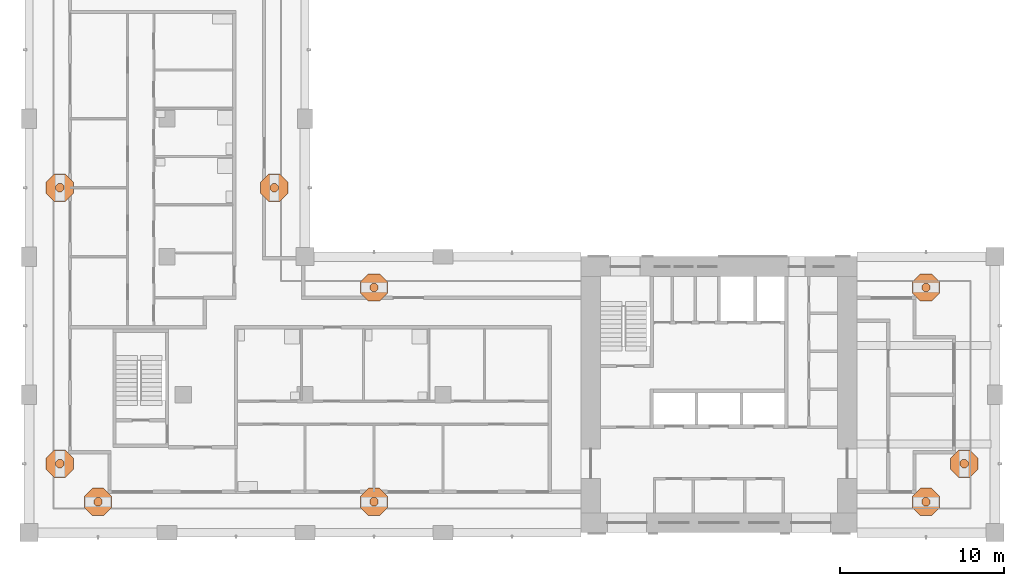
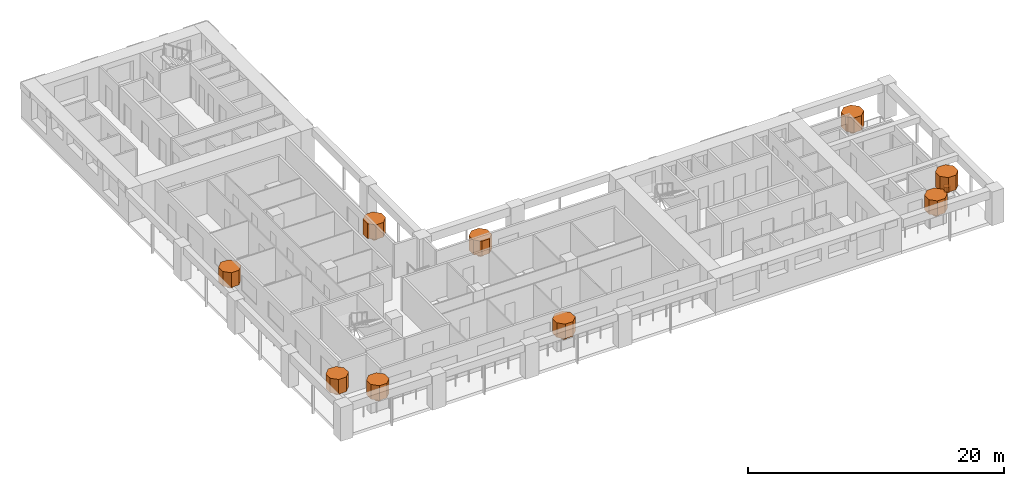
# One storey, part 13 of 13: 18 geographic elements.
"""IFC4 building model written with IfcOpenShell, lengths in metres."""

from ifc_helpers import new_model, si_unit, direction, frame, origin, place, context, subcontext, project, spatial, polyline, outline, extrude, material, element, save


model = new_model("IFC4")

# Units and contexts
model_context = context("Model", 3, precision=1e-05, world=origin(), true_north=direction((0.0, 1.0)))
body_context = subcontext(model_context, "Body", "Model", "MODEL_VIEW")
ifc_project = project(units=[si_unit("LENGTHUNIT", "METRE"), si_unit("AREAUNIT", "SQUARE_METRE"), si_unit("VOLUMEUNIT", "CUBIC_METRE"), si_unit("PLANEANGLEUNIT", "RADIAN"), si_unit("MASSUNIT", "GRAM", prefix="KILO")], contexts=[model_context])

# Site, building, storey
site_placement = place(None, origin())
site = spatial("IfcSite", under=ifc_project, at=site_placement, CompositionType="ELEMENT")
building_placement = place(site_placement, origin())
building = spatial("IfcBuilding", under=site, at=building_placement, Name="Vermilion Gate Residences", CompositionType="ELEMENT")
storey_placement = place(building_placement, frame((0.0, 0.0, 161.699951171875)))
storey = spatial("IfcBuildingStorey", under=building, at=storey_placement, Name="L41", CompositionType="ELEMENT", Elevation=161.699951171875)

# Geographic elements
ifc_material = material(Name="Foliage")
geographic_element_1_placement = place(storey_placement, frame((0.0, 0.0, 0.900146484375)))
element("IfcGeographicElement", 1, at=geographic_element_1_placement, inside=storey, material=ifc_material, Name="Tree (maple)", ObjectType="TREE", PredefinedType="USERDEFINED", context=body_context, shape_type="SweptSolid", body=[
    extrude(outline(polyline([(12.85400390625, 10.380126953125), (12.705078125, 10.529052734375), (12.494873046875, 10.529052734375), (12.345947265625, 10.380126953125), (12.345947265625, 10.169921875), (12.494873046875, 10.02099609375), (12.705078125, 10.02099609375), (12.85400390625, 10.169921875), (12.85400390625, 10.380126953125)])), origin(), (0.0, 0.0, 1.0), 0.52001953125),
])
geographic_element_2_placement = place(storey_placement, frame((0.0, 0.0, 1.420166015625)))
element("IfcGeographicElement", 2, at=geographic_element_2_placement, inside=storey, material=ifc_material, Name="Tree crown (maple)", ObjectType="TREE", PredefinedType="USERDEFINED", context=body_context, shape_type="SweptSolid", body=[
    extrude(outline(polyline([(13.431396484375, 10.619384765625), (12.9443359375, 11.1064453125), (12.255615234375, 11.1064453125), (11.7685546875, 10.619384765625), (11.7685546875, 9.9306640625), (12.255615234375, 9.443603515625), (12.9443359375, 9.443603515625), (13.431396484375, 9.9306640625), (13.431396484375, 10.619384765625)])), origin(), (0.0, 0.0, 1.0), 1.39990234375),
])
geographic_element_3_placement = place(storey_placement, frame((0.0, 0.0, 0.900146484375)))
element("IfcGeographicElement", 3, at=geographic_element_3_placement, inside=storey, material=ifc_material, Name="Tree (black pine)", ObjectType="TREE", PredefinedType="USERDEFINED", context=body_context, shape_type="SweptSolid", body=[
    extrude(outline(polyline([(29.654052734375, 10.380126953125), (29.505126953125, 10.529052734375), (29.294921875, 10.529052734375), (29.14599609375, 10.380126953125), (29.14599609375, 10.169921875), (29.294921875, 10.02099609375), (29.505126953125, 10.02099609375), (29.654052734375, 10.169921875), (29.654052734375, 10.380126953125)])), origin(), (0.0, 0.0, 1.0), 0.52001953125),
])
geographic_element_4_placement = place(storey_placement, frame((0.0, 0.0, 1.420166015625)))
element("IfcGeographicElement", 4, at=geographic_element_4_placement, inside=storey, material=ifc_material, Name="Tree crown (black pine)", ObjectType="TREE", PredefinedType="USERDEFINED", context=body_context, shape_type="SweptSolid", body=[
    extrude(outline(polyline([(30.2314453125, 10.619384765625), (29.744384765625, 11.1064453125), (29.0556640625, 11.1064453125), (28.568603515625, 10.619384765625), (28.568603515625, 9.9306640625), (29.0556640625, 9.443603515625), (29.744384765625, 9.443603515625), (30.2314453125, 9.9306640625), (30.2314453125, 10.619384765625)])), origin(), (0.0, 0.0, 1.0), 1.39990234375),
])
geographic_element_5_placement = place(storey_placement, frame((0.0, 0.0, 0.900146484375)))
element("IfcGeographicElement", 5, at=geographic_element_5_placement, inside=storey, material=ifc_material, Name="Tree (black pine)", ObjectType="TREE", PredefinedType="USERDEFINED", context=body_context, shape_type="SweptSolid", body=[
    extrude(outline(polyline([(63.254150390625, 10.380126953125), (63.105224609375, 10.529052734375), (62.894775390625, 10.529052734375), (62.745849609375, 10.380126953125), (62.745849609375, 10.169921875), (62.894775390625, 10.02099609375), (63.105224609375, 10.02099609375), (63.254150390625, 10.169921875), (63.254150390625, 10.380126953125)])), origin(), (0.0, 0.0, 1.0), 0.52001953125),
])
geographic_element_6_placement = place(storey_placement, frame((0.0, 0.0, 1.420166015625)))
element("IfcGeographicElement", 6, at=geographic_element_6_placement, inside=storey, material=ifc_material, Name="Tree crown (black pine)", ObjectType="TREE", PredefinedType="USERDEFINED", context=body_context, shape_type="SweptSolid", body=[
    extrude(outline(polyline([(63.83154296875, 10.619384765625), (63.344482421875, 11.1064453125), (62.655517578125, 11.1064453125), (62.16845703125, 10.619384765625), (62.16845703125, 9.9306640625), (62.655517578125, 9.443603515625), (63.344482421875, 9.443603515625), (63.83154296875, 9.9306640625), (63.83154296875, 10.619384765625)])), origin(), (0.0, 0.0, 1.0), 1.39990234375),
])
geographic_element_7_placement = place(storey_placement, frame((0.0, 0.0, 0.900146484375)))
element("IfcGeographicElement", 7, at=geographic_element_7_placement, inside=storey, material=ifc_material, Name="Tree (maple)", ObjectType="TREE", PredefinedType="USERDEFINED", context=body_context, shape_type="SweptSolid", body=[
    extrude(outline(polyline([(65.5791015625, 12.705078125), (65.43017578125, 12.85400390625), (65.2197265625, 12.85400390625), (65.07080078125, 12.705078125), (65.07080078125, 12.494873046875), (65.2197265625, 12.345947265625), (65.43017578125, 12.345947265625), (65.5791015625, 12.494873046875), (65.5791015625, 12.705078125)])), origin(), (0.0, 0.0, 1.0), 0.52001953125),
])
geographic_element_8_placement = place(storey_placement, frame((0.0, 0.0, 1.420166015625)))
element("IfcGeographicElement", 8, at=geographic_element_8_placement, inside=storey, material=ifc_material, Name="Tree crown (maple)", ObjectType="TREE", PredefinedType="USERDEFINED", context=body_context, shape_type="SweptSolid", body=[
    extrude(outline(polyline([(66.156494140625, 12.9443359375), (65.66943359375, 13.431396484375), (64.980712890625, 13.431396484375), (64.493408203125, 12.9443359375), (64.493408203125, 12.255615234375), (64.980712890625, 11.7685546875), (65.66943359375, 11.7685546875), (66.156494140625, 12.255615234375), (66.156494140625, 12.9443359375)])), origin(), (0.0, 0.0, 1.0), 1.39990234375),
])
geographic_element_9_placement = place(storey_placement, frame((0.0, 0.0, 0.900146484375)))
element("IfcGeographicElement", 9, at=geographic_element_9_placement, inside=storey, material=ifc_material, Name="Tree (black pine)", ObjectType="TREE", PredefinedType="USERDEFINED", context=body_context, shape_type="SweptSolid", body=[
    extrude(outline(polyline([(29.654052734375, 23.43017578125), (29.505126953125, 23.5791015625), (29.294921875, 23.5791015625), (29.14599609375, 23.43017578125), (29.14599609375, 23.2197265625), (29.294921875, 23.07080078125), (29.505126953125, 23.07080078125), (29.654052734375, 23.2197265625), (29.654052734375, 23.43017578125)])), origin(), (0.0, 0.0, 1.0), 0.52001953125),
])
geographic_element_10_placement = place(storey_placement, frame((0.0, 0.0, 1.420166015625)))
element("IfcGeographicElement", 10, at=geographic_element_10_placement, inside=storey, material=ifc_material, Name="Tree crown (black pine)", ObjectType="TREE", PredefinedType="USERDEFINED", context=body_context, shape_type="SweptSolid", body=[
    extrude(outline(polyline([(30.2314453125, 23.66943359375), (29.744384765625, 24.156494140625), (29.0556640625, 24.156494140625), (28.568603515625, 23.66943359375), (28.568603515625, 22.980712890625), (29.0556640625, 22.493408203125), (29.744384765625, 22.493408203125), (30.2314453125, 22.980712890625), (30.2314453125, 23.66943359375)])), origin(), (0.0, 0.0, 1.0), 1.39990234375),
])
geographic_element_11_placement = place(storey_placement, frame((0.0, 0.0, 0.900146484375)))
element("IfcGeographicElement", 11, at=geographic_element_11_placement, inside=storey, material=ifc_material, Name="Tree (black pine)", ObjectType="TREE", PredefinedType="USERDEFINED", context=body_context, shape_type="SweptSolid", body=[
    extrude(outline(polyline([(63.254150390625, 23.43017578125), (63.105224609375, 23.5791015625), (62.894775390625, 23.5791015625), (62.745849609375, 23.43017578125), (62.745849609375, 23.2197265625), (62.894775390625, 23.07080078125), (63.105224609375, 23.07080078125), (63.254150390625, 23.2197265625), (63.254150390625, 23.43017578125)])), origin(), (0.0, 0.0, 1.0), 0.52001953125),
])
geographic_element_12_placement = place(storey_placement, frame((0.0, 0.0, 1.420166015625)))
element("IfcGeographicElement", 12, at=geographic_element_12_placement, inside=storey, material=ifc_material, Name="Tree crown (black pine)", ObjectType="TREE", PredefinedType="USERDEFINED", context=body_context, shape_type="SweptSolid", body=[
    extrude(outline(polyline([(63.83154296875, 23.66943359375), (63.344482421875, 24.156494140625), (62.655517578125, 24.156494140625), (62.16845703125, 23.66943359375), (62.16845703125, 22.980712890625), (62.655517578125, 22.493408203125), (63.344482421875, 22.493408203125), (63.83154296875, 22.980712890625), (63.83154296875, 23.66943359375)])), origin(), (0.0, 0.0, 1.0), 1.39990234375),
])
geographic_element_13_placement = place(storey_placement, frame((0.0, 0.0, 0.900146484375)))
element("IfcGeographicElement", 13, at=geographic_element_13_placement, inside=storey, material=ifc_material, Name="Tree (black pine)", ObjectType="TREE", PredefinedType="USERDEFINED", context=body_context, shape_type="SweptSolid", body=[
    extrude(outline(polyline([(23.5791015625, 29.505126953125), (23.43017578125, 29.654052734375), (23.2197265625, 29.654052734375), (23.07080078125, 29.505126953125), (23.07080078125, 29.294921875), (23.2197265625, 29.14599609375), (23.43017578125, 29.14599609375), (23.5791015625, 29.294921875), (23.5791015625, 29.505126953125)])), origin(), (0.0, 0.0, 1.0), 0.52001953125),
])
geographic_element_14_placement = place(storey_placement, frame((0.0, 0.0, 1.420166015625)))
element("IfcGeographicElement", 14, at=geographic_element_14_placement, inside=storey, material=ifc_material, Name="Tree crown (black pine)", ObjectType="TREE", PredefinedType="USERDEFINED", context=body_context, shape_type="SweptSolid", body=[
    extrude(outline(polyline([(24.156494140625, 29.744384765625), (23.66943359375, 30.2314453125), (22.980712890625, 30.2314453125), (22.493408203125, 29.744384765625), (22.493408203125, 29.0556640625), (22.980712890625, 28.568603515625), (23.66943359375, 28.568603515625), (24.156494140625, 29.0556640625), (24.156494140625, 29.744384765625)])), origin(), (0.0, 0.0, 1.0), 1.39990234375),
])
geographic_element_15_placement = place(storey_placement, frame((0.0, 0.0, 0.900146484375)))
element("IfcGeographicElement", 15, at=geographic_element_15_placement, inside=storey, material=ifc_material, Name="Tree (maple)", ObjectType="TREE", PredefinedType="USERDEFINED", context=body_context, shape_type="SweptSolid", body=[
    extrude(outline(polyline([(10.529052734375, 12.705078125), (10.380126953125, 12.85400390625), (10.169921875, 12.85400390625), (10.02099609375, 12.705078125), (10.02099609375, 12.494873046875), (10.169921875, 12.345947265625), (10.380126953125, 12.345947265625), (10.529052734375, 12.494873046875), (10.529052734375, 12.705078125)])), origin(), (0.0, 0.0, 1.0), 0.52001953125),
])
geographic_element_16_placement = place(storey_placement, frame((0.0, 0.0, 1.420166015625)))
element("IfcGeographicElement", 16, at=geographic_element_16_placement, inside=storey, material=ifc_material, Name="Tree crown (maple)", ObjectType="TREE", PredefinedType="USERDEFINED", context=body_context, shape_type="SweptSolid", body=[
    extrude(outline(polyline([(11.1064453125, 12.9443359375), (10.619384765625, 13.431396484375), (9.9306640625, 13.431396484375), (9.443603515625, 12.9443359375), (9.443603515625, 12.255615234375), (9.9306640625, 11.7685546875), (10.619384765625, 11.7685546875), (11.1064453125, 12.255615234375), (11.1064453125, 12.9443359375)])), origin(), (0.0, 0.0, 1.0), 1.39990234375),
])
geographic_element_17_placement = place(storey_placement, frame((0.0, 0.0, 0.900146484375)))
element("IfcGeographicElement", 17, at=geographic_element_17_placement, inside=storey, material=ifc_material, Name="Tree (black pine)", ObjectType="TREE", PredefinedType="USERDEFINED", context=body_context, shape_type="SweptSolid", body=[
    extrude(outline(polyline([(10.529052734375, 29.505126953125), (10.380126953125, 29.654052734375), (10.169921875, 29.654052734375), (10.02099609375, 29.505126953125), (10.02099609375, 29.294921875), (10.169921875, 29.14599609375), (10.380126953125, 29.14599609375), (10.529052734375, 29.294921875), (10.529052734375, 29.505126953125)])), origin(), (0.0, 0.0, 1.0), 0.52001953125),
])
geographic_element_18_placement = place(storey_placement, frame((0.0, 0.0, 1.420166015625)))
element("IfcGeographicElement", 18, at=geographic_element_18_placement, inside=storey, material=ifc_material, Name="Tree crown (black pine)", ObjectType="TREE", PredefinedType="USERDEFINED", context=body_context, shape_type="SweptSolid", body=[
    extrude(outline(polyline([(11.1064453125, 29.744384765625), (10.619384765625, 30.2314453125), (9.9306640625, 30.2314453125), (9.443603515625, 29.744384765625), (9.443603515625, 29.0556640625), (9.9306640625, 28.568603515625), (10.619384765625, 28.568603515625), (11.1064453125, 29.0556640625), (11.1064453125, 29.744384765625)])), origin(), (0.0, 0.0, 1.0), 1.39990234375),
])

save(model, "model.ifc")
